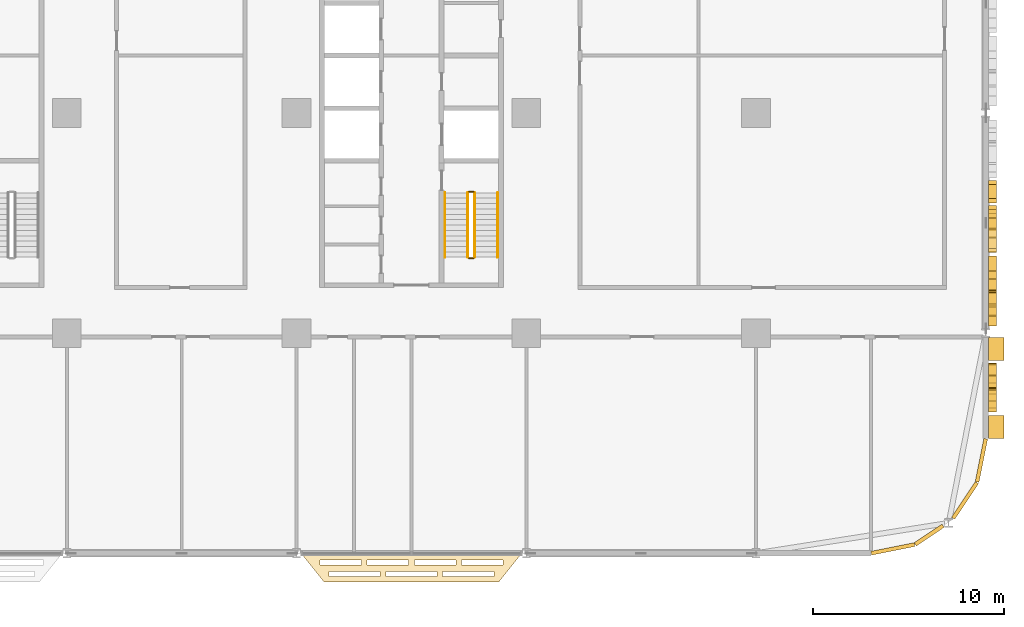
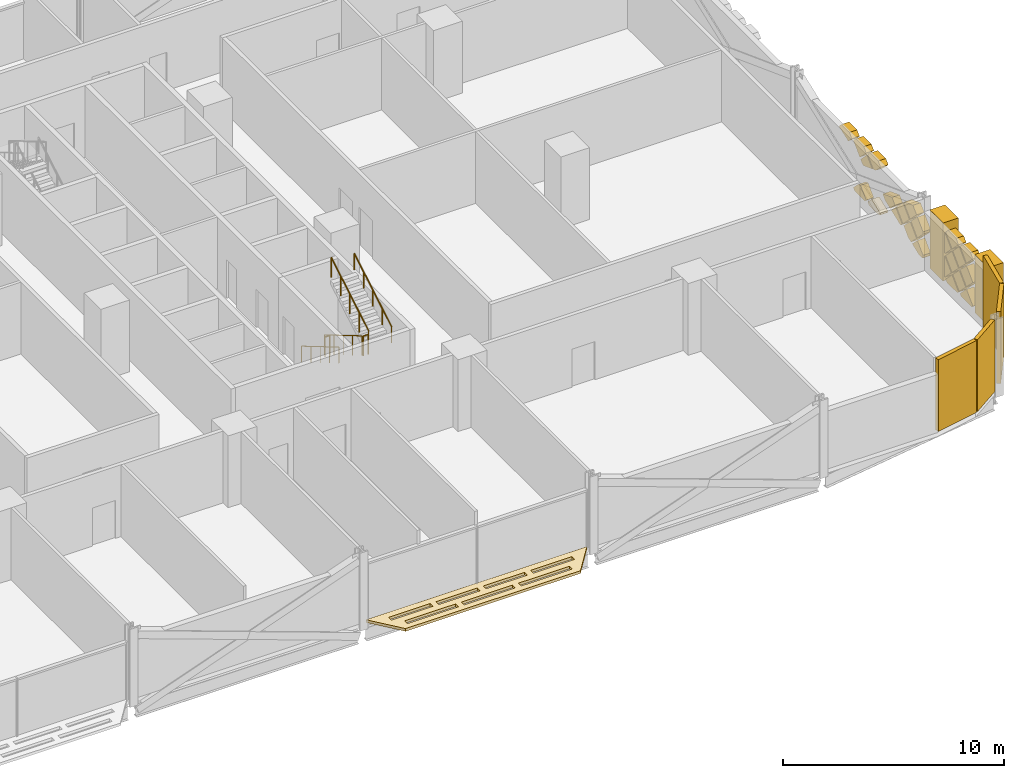
# One storey, part 28 of 29: 30 coverings, 6 railings.
"""IFC4 building model written with IfcOpenShell, lengths in metres."""

from ifc_helpers import new_model, si_unit, direction, frame, origin, origin_2d, place, context, subcontext, project, spatial, polyline, rectangle, circle, outline, extrude, material, layer, layer_set, type_object, element, save


model = new_model("IFC4")

# Units and contexts
model_context = context("Model", 3, precision=1e-05, world=origin(), true_north=direction((0.0, 1.0)))
body_context = subcontext(model_context, "Body", "Model", "MODEL_VIEW")
ifc_project = project(units=[si_unit("LENGTHUNIT", "METRE"), si_unit("AREAUNIT", "SQUARE_METRE"), si_unit("VOLUMEUNIT", "CUBIC_METRE"), si_unit("PLANEANGLEUNIT", "RADIAN"), si_unit("MASSUNIT", "GRAM", prefix="KILO")], contexts=[model_context])

# Site, building, storey
site_placement = place(None, origin())
site = spatial("IfcSite", under=ifc_project, at=site_placement, CompositionType="ELEMENT")
building_placement = place(site_placement, origin())
building = spatial("IfcBuilding", under=site, at=building_placement, Name="Mahtab Terrace Research Tower", CompositionType="ELEMENT")
storey_placement = place(building_placement, frame((0.0, 0.0, 58.89990234375)))
storey = spatial("IfcBuildingStorey", under=building, at=storey_placement, Name="L13", CompositionType="ELEMENT", Elevation=58.89990234375)

# Coverings
ifc_material_1 = material(Name="Black aluminium cladding panel", Category="aluminium")
ifc_layer_1 = layer(ifc_material_1, 0.199951171875)
ifc_layer_set_1 = layer_set([ifc_layer_1], Name="Black metal corner cladding 200")
covering_type_1 = type_object("IfcCoveringType", Name="Black metal corner cladding 200", PredefinedType="CLADDING", material=ifc_layer_set_1)
covering_1_placement = place(storey_placement, frame((49.14794921875, -22.771484375, 0.0), z_axis=(0.0, 0.0, 1.0), x_axis=(0.980760981187, 0.195212442692, 0.0)))
element("IfcCovering", 1, at=covering_1_placement, inside=storey, type_object=covering_type_1, Name="Corner cladding L13 31", PredefinedType="CLADDING", context=body_context, shape_type="SweptSolid", body=[
    extrude(rectangle(XDim=2.30126953125, YDim=0.199951171875, at=origin_2d()), origin(), (0.0, 0.0, 1.0), 3.9599609375),
])
covering_2_placement = place(storey_placement, frame((51.0380859375, -22.047607421875, 0.0), z_axis=(0.0, 0.0, 1.0), x_axis=(0.831655794326, 0.555291490808, 0.0)))
element("IfcCovering", 2, at=covering_2_placement, inside=storey, type_object=covering_type_1, Name="Corner cladding L13 32", PredefinedType="CLADDING", context=body_context, shape_type="SweptSolid", body=[
    extrude(rectangle(XDim=1.74462890625, YDim=0.199951171875, at=origin_2d()), origin(), (0.0, 0.0, 1.0), 3.9599609375),
])
covering_3_placement = place(storey_placement, frame((52.911376953125, -20.2421875, 0.0), z_axis=(0.0, 0.0, 1.0), x_axis=(0.555291490808, 0.831655794326, 0.0)))
element("IfcCovering", 3, at=covering_3_placement, inside=storey, type_object=covering_type_1, Name="Corner cladding L13 33", PredefinedType="CLADDING", context=body_context, shape_type="SweptSolid", body=[
    extrude(rectangle(XDim=2.235595703125, YDim=0.199951171875, at=origin_2d()), origin(), (0.0, 0.0, 1.0), 3.9599609375),
])
covering_4_placement = place(storey_placement, frame((53.771484375, -18.14794921875, 0.0), z_axis=(0.0, 0.0, 1.0), x_axis=(0.195212442692, 0.980760981187, 0.0)))
element("IfcCovering", 4, at=covering_4_placement, inside=storey, type_object=covering_type_1, Name="Corner cladding L13 34", PredefinedType="CLADDING", context=body_context, shape_type="SweptSolid", body=[
    extrude(rectangle(XDim=2.30126953125, YDim=0.199951171875, at=origin_2d()), origin(), (0.0, 0.0, 1.0), 3.9599609375),
])
ifc_material_2 = material(Name="Black anodised aluminium", Category="aluminium")
ifc_layer_2 = layer(ifc_material_2, 0.14990234375)
ifc_layer_set_2 = layer_set([ifc_layer_2], Name="Horizontal sunshade band")
covering_type_2 = type_object("IfcCoveringType", Name="Horizontal sunshade band", PredefinedType="CLADDING", material=ifc_layer_set_2)
covering_5_placement = place(storey_placement, frame((0.0, 0.0, -0.14990234375)))
element("IfcCovering", 5, at=covering_5_placement, inside=storey, type_object=covering_type_2, Name="Sunshade band L13 28", PredefinedType="CLADDING", context=body_context, shape_type="SweptSolid", body=[
    extrude(outline(polyline([(18.238037109375, -23.0), (29.761962890625, -23.0), (28.56201171875, -24.5), (19.43798828125, -24.5), (18.238037109375, -23.0)]), holes=[polyline([(19.218017578125, -23.35009765625), (21.384033203125, -23.35009765625), (21.384033203125, -23.60009765625), (19.218017578125, -23.60009765625), (19.218017578125, -23.35009765625)]), polyline([(21.68408203125, -23.35009765625), (23.85009765625, -23.35009765625), (23.85009765625, -23.60009765625), (21.68408203125, -23.60009765625), (21.68408203125, -23.35009765625)]), polyline([(24.14990234375, -23.35009765625), (26.31591796875, -23.35009765625), (26.31591796875, -23.60009765625), (24.14990234375, -23.60009765625), (24.14990234375, -23.35009765625)]), polyline([(26.615966796875, -23.35009765625), (28.781982421875, -23.35009765625), (28.781982421875, -23.60009765625), (26.615966796875, -23.60009765625), (26.615966796875, -23.35009765625)]), polyline([(19.697998046875, -23.949951171875), (22.365966796875, -23.949951171875), (22.365966796875, -24.199951171875), (19.697998046875, -24.199951171875), (19.697998046875, -23.949951171875)]), polyline([(22.666015625, -23.949951171875), (25.333984375, -23.949951171875), (25.333984375, -24.199951171875), (22.666015625, -24.199951171875), (22.666015625, -23.949951171875)]), polyline([(25.634033203125, -23.949951171875), (28.302001953125, -23.949951171875), (28.302001953125, -24.199951171875), (25.634033203125, -24.199951171875), (25.634033203125, -23.949951171875)])]), origin(), (0.0, 0.0, 1.0), 0.14990234375),
])
ifc_material_3 = material(Name="Bronze anodised aluminium", Category="aluminium")
ifc_layer_3 = layer(ifc_material_3, 0.39990234375)
ifc_layer_set_3 = layer_set([ifc_layer_3], Name="Mashrabiya relief panel 400")
covering_type_3 = type_object("IfcCoveringType", Name="Mashrabiya relief panel 400", PredefinedType="CLADDING", material=ifc_layer_set_3)
covering_6_placement = place(storey_placement, frame((54.14990234375, -15.6298828125, 0.25), z_axis=(-1.0, 0.0, 0.0), x_axis=(0.0, 0.706957932274, 0.707255598772)))
element("IfcCovering", 6, at=covering_6_placement, inside=storey, type_object=covering_type_3, Name="Mashrabiya lattice cell L13 E35.1", PredefinedType="CLADDING", context=body_context, shape_type="SweptSolid", body=[
    extrude(outline(polyline([(0.0, 0.0), (0.8201817362875763, 0.0), (0.8200090664636573, 0.8203543334390104), (0.6573883210723384, 0.8203201046986629), (-3.422874034757217e-05, 0.162620745391319), (0.0, 0.0)])), origin(), (0.0, 0.0, -1.0), 0.39990234375),
])
covering_7_placement = place(storey_placement, frame((54.14990234375, -15.050048828125, 2.130126953125), z_axis=(-1.0, 0.0, 0.0), x_axis=(0.0, 0.707106781187, -0.707106781187)))
element("IfcCovering", 7, at=covering_7_placement, inside=storey, type_object=covering_type_3, Name="Mashrabiya lattice cell L13 E35.2", PredefinedType="CLADDING", context=body_context, shape_type="SweptSolid", body=[
    extrude(outline(polyline([(0.0, 0.0), (0.8203543516109556, 0.0), (0.820181718119455, 0.820181718119455), (0.0001726334915006511, 0.820181718119455), (0.0, 0.0)])), origin(), (0.0, 0.0, -1.0), 0.39990234375),
])
covering_8_placement = place(storey_placement, frame((54.14990234375, -14.469970703125, 2.85009765625), z_axis=(-1.0, 0.0, 0.0), x_axis=(0.0, -0.707106781187, -0.707106781187)))
element("IfcCovering", 8, at=covering_8_placement, inside=storey, type_object=covering_type_3, Name="Mashrabiya lattice cell L13 E35.3", PredefinedType="CLADDING", context=body_context, shape_type="SweptSolid", body=[
    extrude(outline(polyline([(0.0, 0.0), (0.8203543516109556, 0.0), (0.820181718119455, 0.820181718119455), (0.5120309357908447, 0.8203543516109556), (0.0, 0.30832341582011086), (0.0, 0.0)])), origin(), (0.0, 0.0, -1.0), 0.39990234375),
])
for number, where, z_axis, x_axis, name in (
    (9, (54.14990234375, -14.39990234375, 1.47998046875), (-1.0, 0.0, 0.0), (0.0, 0.707106781187, -0.707106781187), "Mashrabiya lattice cell L13 E35.4"),
    (10, (54.14990234375, -14.39990234375, 2.780029296875), (-1.0, 0.0, 0.0), (0.0, 0.707106781187, -0.707106781187), "Mashrabiya lattice cell L13 E35.5"),
):
    element("IfcCovering", number, at=place(storey_placement, frame(where, z_axis=z_axis, x_axis=x_axis)), inside=storey, type_object=covering_type_3, Name=name, PredefinedType="CLADDING", context=body_context, shape_type="SweptSolid", body=[
        extrude(outline(polyline([(0.0, 0.0), (0.8200090846279543, 0.0), (0.820181718119455, 0.820181718119455), (-0.0001726334915006511, 0.820181718119455), (0.0, 0.0)])), origin(), (0.0, 0.0, -1.0), 0.39990234375),
    ])
covering_9_placement = place(storey_placement, frame((54.14990234375, -14.330078125, 0.25), z_axis=(-1.0, 0.0, 0.0), x_axis=(0.0, 0.707106781187, 0.707106781187)))
element("IfcCovering", 11, at=covering_9_placement, inside=storey, type_object=covering_type_3, Name="Mashrabiya lattice cell L13 E35.6", PredefinedType="CLADDING", context=body_context, shape_type="SweptSolid", body=[
    extrude(outline(polyline([(0.0, 0.0), (0.8203543516109556, 0.0), (0.8203543516109556, 0.8203543516109556), (0.6577336026173697, 0.8203543516109555), (0.0, 0.1626207489935859), (0.0, 0.0)])), origin(), (0.0, 0.0, -1.0), 0.39990234375),
])
covering_10_placement = place(storey_placement, frame((54.14990234375, -13.75, 2.130126953125), z_axis=(-1.0, 0.0, 0.0), x_axis=(0.0, 0.707106781187, -0.707106781187)))
element("IfcCovering", 12, at=covering_10_placement, inside=storey, type_object=covering_type_3, Name="Mashrabiya lattice cell L13 E35.7", PredefinedType="CLADDING", context=body_context, shape_type="SweptSolid", body=[
    extrude(outline(polyline([(0.0, 0.0), (0.8203543516109556, 0.0), (0.820181718119455, 0.820181718119455), (0.0, 0.8203543516109556), (0.0, 0.0)])), origin(), (0.0, 0.0, -1.0), 0.39990234375),
])
covering_11_placement = place(storey_placement, frame((54.14990234375, -13.169921875, 2.85009765625), z_axis=(-1.0, 0.0, 0.0), x_axis=(0.0, -0.707106781187, -0.707106781187)))
element("IfcCovering", 13, at=covering_11_placement, inside=storey, type_object=covering_type_3, Name="Mashrabiya lattice cell L13 E35.8", PredefinedType="CLADDING", context=body_context, shape_type="SweptSolid", body=[
    extrude(outline(polyline([(0.0, 0.0), (0.8203543516109556, 0.0), (0.8203543516109556, 0.8203543516109556), (0.5120309357908447, 0.8203543516109556), (0.0, 0.30832341582011086), (0.0, 0.0)])), origin(), (0.0, 0.0, -1.0), 0.39990234375),
])
for number, where, z_axis, x_axis, name in (
    (14, (54.14990234375, -13.10009765625, 0.320068359375), (-1.0, 0.0, 0.0), (0.0, -0.706957932274, 0.707255598772), "Mashrabiya lattice cell L13 E35.9"),
    (15, (54.14990234375, -13.10009765625, 1.6201171875), (-1.0, 0.0, 0.0), (0.0, -0.706957932274, 0.707255598772), "Mashrabiya lattice cell L13 E35.10"),
):
    element("IfcCovering", number, at=place(storey_placement, frame(where, z_axis=z_axis, x_axis=x_axis)), inside=storey, type_object=covering_type_3, Name=name, PredefinedType="CLADDING", context=body_context, shape_type="SweptSolid", body=[
        extrude(outline(polyline([(0.0, 0.0), (0.8201817362875763, 0.0), (0.8203543334390104, 0.8200090664636573), (0.7822023689987332, 0.8201897302609058), (8.066645814396034e-06, 0.038324634264196196), (0.0, 0.0)])), origin(), (0.0, 0.0, -1.0), 0.39990234375),
    ])
covering_12_placement = place(storey_placement, frame((54.14990234375, -11.126953125, 0.18505859375), z_axis=(-1.0, 0.0, 0.0), x_axis=(0.0, 0.0, 1.0)))
element("IfcCovering", 16, at=covering_12_placement, inside=storey, type_object=covering_type_3, Name="Mashrabiya lattice cell L13 E36.1", PredefinedType="CLADDING", context=body_context, shape_type="SweptSolid", body=[
    extrude(outline(polyline([(0.0, 0.0), (0.130126953125, 0.0), (0.64501953125, 0.514892578125), (0.177978515625, 0.98193359375), (-0.050048828125, 0.373046875), (-0.050048828125, 0.050048828125), (0.0, 0.0)])), origin(), (0.0, 0.0, -1.0), 0.39990234375),
])
covering_13_placement = place(storey_placement, frame((54.14990234375, -10.612060546875, 2.130126953125), z_axis=(-1.0, 0.0, 0.0), x_axis=(0.0, 0.707106781187, -0.707106781187)))
element("IfcCovering", 17, at=covering_13_placement, inside=storey, type_object=covering_type_3, Name="Mashrabiya lattice cell L13 E36.2", PredefinedType="CLADDING", context=body_context, shape_type="SweptSolid", body=[
    extrude(outline(polyline([(0.0, 0.0), (0.8203543516109556, 0.0), (0.820181718119455, 0.820181718119455), (0.0920136509698315, 0.820181718119455), (0.0001726334915005956, 0.728340700641124), (0.0, 0.0)])), origin(), (0.0, 0.0, -1.0), 0.39990234375),
])
covering_14_placement = place(storey_placement, frame((54.14990234375, -10.5419921875, 0.900146484375), z_axis=(-1.0, 0.0, 0.0), x_axis=(0.0, 0.707255598772, 0.706957932274)))
element("IfcCovering", 18, at=covering_14_placement, inside=storey, type_object=covering_type_3, Name="Mashrabiya lattice cell L13 E36.3", PredefinedType="CLADDING", context=body_context, shape_type="SweptSolid", body=[
    extrude(outline(polyline([(0.0, 0.0), (0.8201817362875763, 0.0), (0.8203543334390104, 0.8200090664636573), (0.25187229485634266, 0.8203013551975809), (0.0001485425589606293, 0.705725697621775), (0.0, 0.0)])), origin(), (0.0, 0.0, -1.0), 0.39990234375),
])
covering_15_placement = place(storey_placement, frame((54.14990234375, -9.382080078125, 2.2001953125), z_axis=(-1.0, 0.0, 0.0), x_axis=(0.0, -0.706957932274, -0.707255598772)))
element("IfcCovering", 19, at=covering_15_placement, inside=storey, type_object=covering_type_3, Name="Mashrabiya lattice cell L13 E36.4", PredefinedType="CLADDING", context=body_context, shape_type="SweptSolid", body=[
    extrude(outline(polyline([(0.0, 0.0), (0.8201817362875763, 0.0), (0.8200090664636573, 0.8203543334390104), (0.35769658646583113, 0.820257024981844), (-7.12190351180933e-06, 0.033836163584605644), (0.0, 0.0)])), origin(), (0.0, 0.0, -1.0), 0.39990234375),
])
covering_16_placement = place(storey_placement, frame((54.14990234375, -9.31201171875, 2.130126953125), z_axis=(-1.0, 0.0, 0.0), x_axis=(0.0, 0.707106781187, -0.707106781187)))
element("IfcCovering", 20, at=covering_16_placement, inside=storey, type_object=covering_type_3, Name="Mashrabiya lattice cell L13 E36.5", PredefinedType="CLADDING", context=body_context, shape_type="SweptSolid", body=[
    extrude(outline(polyline([(0.0, 0.0), (0.8203543516109556, 0.0), (0.820181718119455, 0.820181718119455), (0.0, 0.8203543516109556), (0.0, 0.0)])), origin(), (0.0, 0.0, -1.0), 0.39990234375),
])
covering_17_placement = place(storey_placement, frame((54.14990234375, -9.241943359375, 0.900146484375), z_axis=(-1.0, 0.0, 0.0), x_axis=(0.0, 0.707106781187, 0.707106781187)))
element("IfcCovering", 21, at=covering_17_placement, inside=storey, type_object=covering_type_3, Name="Mashrabiya lattice cell L13 E36.6", PredefinedType="CLADDING", context=body_context, shape_type="SweptSolid", body=[
    extrude(outline(polyline([(0.0, 0.0), (0.8200090846279543, 0.0), (0.820181718119455, 0.5798758979505892), (0.0, 0.2050885879027389), (0.0, 0.0)])), origin(), (0.0, 0.0, -1.0), 0.39990234375),
])
covering_18_placement = place(storey_placement, frame((54.14990234375, -8.592041015625, 1.550048828125), z_axis=(-1.0, 0.0, 0.0), x_axis=(0.0, 0.707106781187, 0.707106781187)))
element("IfcCovering", 22, at=covering_18_placement, inside=storey, type_object=covering_type_3, Name="Mashrabiya lattice cell L13 E36.7", PredefinedType="CLADDING", context=body_context, shape_type="SweptSolid", body=[
    extrude(outline(polyline([(0.0, 0.0), (0.3804842152673708, 0.0), (0.753890457383216, 0.820181718119455), (0.43003002732804935, 0.8201817181194551), (0.0001726334915006511, 0.6237248047917472), (0.0, 0.0)])), origin(), (0.0, 0.0, -1.0), 0.39990234375),
])
covering_19_placement = place(storey_placement, frame((54.14990234375, -7.2919921875, 0.25), z_axis=(-1.0, 0.0, 0.0), x_axis=(0.0, 0.707106781187, 0.707106781187)))
element("IfcCovering", 23, at=covering_19_placement, inside=storey, type_object=covering_type_3, Name="Mashrabiya lattice cell L13 E36.8", PredefinedType="CLADDING", context=body_context, shape_type="SweptSolid", body=[
    extrude(outline(polyline([(0.0, 0.0), (0.06939866358325003, 0.0), (0.8203543516109555, 0.3421595801542327), (0.820181718119455, 0.820181718119455), (0.6575609691258691, 0.820181718119455), (0.0, 0.1626207489935859), (0.0, 0.0)])), origin(), (0.0, 0.0, -1.0), 0.39990234375),
])
covering_20_placement = place(storey_placement, frame((54.14990234375, -7.2919921875, 2.85009765625), z_axis=(-1.0, 0.0, 0.0), x_axis=(0.0, 0.707106781187, 0.707106781187)))
element("IfcCovering", 24, at=covering_20_placement, inside=storey, type_object=covering_type_3, Name="Mashrabiya lattice cell L13 E36.9", PredefinedType="CLADDING", context=body_context, shape_type="SweptSolid", body=[
    extrude(outline(polyline([(0.0, 0.0), (0.30832341582011086, 0.0), (0.820181718119455, 0.511858302299344), (0.820181718119455, 0.820181718119455), (0.09891899062985643, 0.820181718119455), (0.0, 0.6038719532691756), (0.0, 0.0)])), origin(), (0.0, 0.0, -1.0), 0.39990234375),
])
covering_21_placement = place(storey_placement, frame((54.14990234375, -6.06201171875, 2.780029296875), z_axis=(-1.0, 0.0, 0.0), x_axis=(0.0, 0.707255598772, -0.706957932274)))
element("IfcCovering", 25, at=covering_21_placement, inside=storey, type_object=covering_type_3, Name="Mashrabiya lattice cell L13 E36.10", PredefinedType="CLADDING", context=body_context, shape_type="SweptSolid", body=[
    extrude(outline(polyline([(0.0, 0.0), (0.8201817362875763, 0.0), (0.8201370427094155, 0.21233918984216815), (0.767805005014702, 0.3267841822902776), (-0.00014229272526661285, 0.6760327377414068), (0.0, 0.0)])), origin(), (0.0, 0.0, -1.0), 0.39990234375),
])
covering_22_placement = place(storey_placement, frame((54.14990234375, -5.991943359375, 0.25), z_axis=(-1.0, 0.0, 0.0), x_axis=(0.0, 0.707106781187, 0.707106781187)))
element("IfcCovering", 26, at=covering_22_placement, inside=storey, type_object=covering_type_3, Name="Mashrabiya lattice cell L13 E36.11", PredefinedType="CLADDING", context=body_context, shape_type="SweptSolid", body=[
    extrude(outline(polyline([(0.0, 0.0), (0.7185005916255887, 0.0), (0.8203543516109557, 0.22476880593380982), (0.820181718119455, 0.820181718119455), (0.6575609691258691, 0.820181718119455), (0.0, 0.1626207489935859), (0.0, 0.0)])), origin(), (0.0, 0.0, -1.0), 0.39990234375),
])
covering_23_placement = place(storey_placement, frame((54.14990234375, -4.83203125, 2.85009765625), z_axis=(-1.0, 0.0, 0.0), x_axis=(0.0, -0.707106781187, -0.707106781187)))
element("IfcCovering", 27, at=covering_23_placement, inside=storey, type_object=covering_type_3, Name="Mashrabiya lattice cell L13 E36.12", PredefinedType="CLADDING", context=body_context, shape_type="SweptSolid", body=[
    extrude(outline(polyline([(0.0, 0.0), (0.8203543516109556, 0.0), (0.820181718119455, 0.820181718119455), (0.511858302299344, 0.820181718119455), (0.0, 0.30832341582011086), (0.0, 0.0)])), origin(), (0.0, 0.0, -1.0), 0.39990234375),
])
covering_24_placement = place(storey_placement, frame((54.14990234375, -4.69189453125, 2.85009765625), z_axis=(-1.0, 0.0, 0.0), x_axis=(0.0, 0.706710532033, 0.707502808414)))
element("IfcCovering", 28, at=covering_24_placement, inside=storey, type_object=covering_type_3, Name="Mashrabiya lattice cell L13 E36.13", PredefinedType="CLADDING", context=body_context, shape_type="SweptSolid", body=[
    extrude(outline(polyline([(0.0, 0.0), (0.3081508306853267, 0.0), (0.8198948341056175, 0.5123177074599996), (0.819722103927782, 0.820641074896311), (0.7872670126186966, 0.8206228927723282), (-0.00025822484592424866, 0.4609313499747767), (0.0, 0.0)])), origin(), (0.0, 0.0, -1.0), 0.39990234375),
])
ifc_material_4 = material(Name="Glazed ceramic tile cladding", Category="masonry")
ifc_layer_4 = layer(ifc_material_4, 0.800048828125)
ifc_layer_set_4 = layer_set([ifc_layer_4], Name="Pishtaq frame pier 800")
covering_type_4 = type_object("IfcCoveringType", Name="Pishtaq frame pier 800", PredefinedType="CLADDING", material=ifc_layer_set_4)
for number, where, z_axis, x_axis, name in (
    (29, (54.550048828125, -16.39990234375, 0.00048828125), (0.0, 0.0, 1.0), (0.0, 1.0, 0.0), "Pishtaq frame pier 35a"),
    (30, (54.550048828125, -12.337890625, 0.00048828125), (0.0, 0.0, 1.0), (0.0, 1.0, 0.0), "Pishtaq frame pier 35b"),
):
    element("IfcCovering", number, at=place(storey_placement, frame(where, z_axis=z_axis, x_axis=x_axis)), inside=storey, type_object=covering_type_4, Name=name, PredefinedType="CLADDING", context=body_context, shape_type="SweptSolid", body=[
        extrude(rectangle(XDim=1.199951171875, YDim=0.800048828125, at=origin_2d()), origin(), (0.0, 0.0, 1.0), 3.202880859375),
    ])

# Railings
ifc_material_5 = material(Name="Stainless steel AISI 304", Category="steel")
railing_type_1 = type_object("IfcRailingType", Name="Stair guard 1100", PredefinedType="GUARDRAIL", material=ifc_material_5)
railing_1_placement = place(storey_placement, frame((26.949951171875, -4.175048828125, 0.16552734375)))
element("IfcRailing", 31, at=railing_1_placement, inside=storey, type_object=railing_type_1, Name="L13 ST4 stair guard 1", PredefinedType="GUARDRAIL", context=body_context, shape_type="SweptSolid", body=[
    extrude(circle(Radius=0.02392578125, at=origin_2d()), frame((0.0, 0.0, 1.076171875), z_axis=(0.0, -0.861011212953, 0.508585972249), x_axis=(1.0, 0.0, 0.0)), (0.0, 0.0, 1.0), 3.90234375),
    extrude(circle(Radius=0.02099609375, at=origin_2d()), origin(), (0.0, 0.0, 1.0), 1.052001953125),
    extrude(circle(Radius=0.02099609375, at=origin_2d()), frame((0.0, -0.83984375, 0.49609375)), (0.0, 0.0, 1.0), 1.052001953125),
    extrude(circle(Radius=0.02099609375, at=origin_2d()), frame((0.0, -1.679931640625, 0.9921875)), (0.0, 0.0, 1.0), 1.052001953125),
    extrude(circle(Radius=0.02099609375, at=origin_2d()), frame((0.0, -2.52001953125, 1.488525390625)), (0.0, 0.0, 1.0), 1.052001953125),
    extrude(circle(Radius=0.02099609375, at=origin_2d()), frame((0.0, -3.35986328125, 1.984619140625)), (0.0, 0.0, 1.0), 1.052001953125),
])
railing_2_placement = place(storey_placement, frame((27.0, -7.5849609375, 2.150146484375)))
element("IfcRailing", 32, at=railing_2_placement, inside=storey, type_object=railing_type_1, Name="L13 ST4 stair guard 2", PredefinedType="GUARDRAIL", context=body_context, shape_type="SweptSolid", body=[
    extrude(circle(Radius=0.02392578125, at=origin_2d()), frame((0.0, 0.0, 1.076171875), z_axis=(1.0, 0.0, 0.0), x_axis=(0.0, 1.0, 0.0)), (0.0, 0.0, 1.0), 0.25),
    extrude(circle(Radius=0.02099609375, at=origin_2d()), origin(), (0.0, 0.0, 1.0), 1.052001953125),
    extrude(circle(Radius=0.02099609375, at=origin_2d()), frame((0.25, 0.0, 0.0)), (0.0, 0.0, 1.0), 1.052001953125),
])
railing_3_placement = place(storey_placement, frame((27.300048828125, -7.534912109375, 2.3154296875)))
element("IfcRailing", 33, at=railing_3_placement, inside=storey, type_object=railing_type_1, Name="L13 ST4 stair guard 3", PredefinedType="GUARDRAIL", context=body_context, shape_type="SweptSolid", body=[
    extrude(circle(Radius=0.02392578125, at=origin_2d()), frame((0.0, 0.0, 1.076171875), z_axis=(0.0, 0.861011212953, 0.508585972249), x_axis=(-1.0, 0.0, 0.0)), (0.0, 0.0, 1.0), 3.90234375),
    extrude(circle(Radius=0.02099609375, at=origin_2d()), origin(), (0.0, 0.0, 1.0), 1.052001953125),
    extrude(circle(Radius=0.02099609375, at=origin_2d()), frame((0.0, 0.83984375, 0.49609375)), (0.0, 0.0, 1.0), 1.052001953125),
    extrude(circle(Radius=0.02099609375, at=origin_2d()), frame((0.0, 1.679931640625, 0.9921875)), (0.0, 0.0, 1.0), 1.052001953125),
    extrude(circle(Radius=0.02099609375, at=origin_2d()), frame((0.0, 2.52001953125, 1.488525390625)), (0.0, 0.0, 1.0), 1.052001953125),
    extrude(circle(Radius=0.02099609375, at=origin_2d()), frame((0.0, 3.35986328125, 1.984619140625)), (0.0, 0.0, 1.0), 1.052001953125),
])
railing_4_placement = place(storey_placement, frame((27.0, -4.125, 0.0)))
element("IfcRailing", 34, at=railing_4_placement, inside=storey, type_object=railing_type_1, Name="L13 ST4 stair guard 4", PredefinedType="GUARDRAIL", context=body_context, shape_type="SweptSolid", body=[
    extrude(circle(Radius=0.02392578125, at=origin_2d()), frame((0.0, 0.0, 1.076171875), z_axis=(1.0, 0.0, 0.0), x_axis=(0.0, 1.0, 0.0)), (0.0, 0.0, 1.0), 0.25),
    extrude(circle(Radius=0.02099609375, at=origin_2d()), origin(), (0.0, 0.0, 1.0), 1.052001953125),
    extrude(circle(Radius=0.02099609375, at=origin_2d()), frame((0.25, 0.0, 0.0)), (0.0, 0.0, 1.0), 1.052001953125),
])
railing_type_2 = type_object("IfcRailingType", Name="Stair handrail 900", PredefinedType="HANDRAIL", material=ifc_material_5)
railing_5_placement = place(storey_placement, frame((25.75, -4.175048828125, 0.16552734375)))
element("IfcRailing", 35, at=railing_5_placement, inside=storey, type_object=railing_type_2, Name="L13 ST4 stair handrail 1", PredefinedType="HANDRAIL", context=body_context, shape_type="SweptSolid", body=[
    extrude(circle(Radius=0.02392578125, at=origin_2d()), frame((0.0, 0.0, 0.8759765625), z_axis=(0.0, -0.861011212953, 0.508585972249), x_axis=(1.0, 0.0, 0.0)), (0.0, 0.0, 1.0), 3.90234375),
    extrude(circle(Radius=0.02099609375, at=origin_2d()), origin(), (0.0, 0.0, 1.0), 0.851806640625),
    extrude(circle(Radius=0.02099609375, at=origin_2d()), frame((0.0, -0.83984375, 0.49609375)), (0.0, 0.0, 1.0), 0.851806640625),
    extrude(circle(Radius=0.02099609375, at=origin_2d()), frame((0.0, -1.679931640625, 0.9921875)), (0.0, 0.0, 1.0), 0.851806640625),
    extrude(circle(Radius=0.02099609375, at=origin_2d()), frame((0.0, -2.52001953125, 1.488525390625)), (0.0, 0.0, 1.0), 0.851806640625),
    extrude(circle(Radius=0.02099609375, at=origin_2d()), frame((0.0, -3.35986328125, 1.984619140625)), (0.0, 0.0, 1.0), 0.851806640625),
])
railing_6_placement = place(storey_placement, frame((28.5, -7.534912109375, 2.3154296875)))
element("IfcRailing", 36, at=railing_6_placement, inside=storey, type_object=railing_type_2, Name="L13 ST4 stair handrail 2", PredefinedType="HANDRAIL", context=body_context, shape_type="SweptSolid", body=[
    extrude(circle(Radius=0.02392578125, at=origin_2d()), frame((0.0, 0.0, 0.8759765625), z_axis=(0.0, 0.861011212953, 0.508585972249), x_axis=(-1.0, 0.0, 0.0)), (0.0, 0.0, 1.0), 3.90234375),
    extrude(circle(Radius=0.02099609375, at=origin_2d()), origin(), (0.0, 0.0, 1.0), 0.851806640625),
    extrude(circle(Radius=0.02099609375, at=origin_2d()), frame((0.0, 0.83984375, 0.49609375)), (0.0, 0.0, 1.0), 0.851806640625),
    extrude(circle(Radius=0.02099609375, at=origin_2d()), frame((0.0, 1.679931640625, 0.9921875)), (0.0, 0.0, 1.0), 0.851806640625),
    extrude(circle(Radius=0.02099609375, at=origin_2d()), frame((0.0, 2.52001953125, 1.488525390625)), (0.0, 0.0, 1.0), 0.851806640625),
    extrude(circle(Radius=0.02099609375, at=origin_2d()), frame((0.0, 3.35986328125, 1.984619140625)), (0.0, 0.0, 1.0), 0.851806640625),
])

save(model, "model.ifc")
